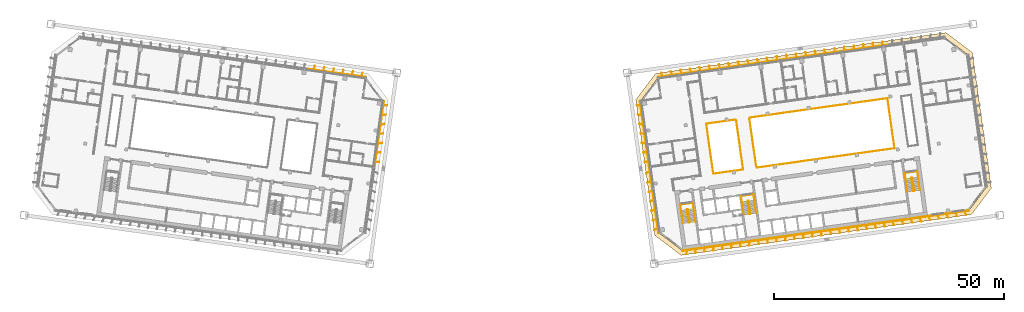
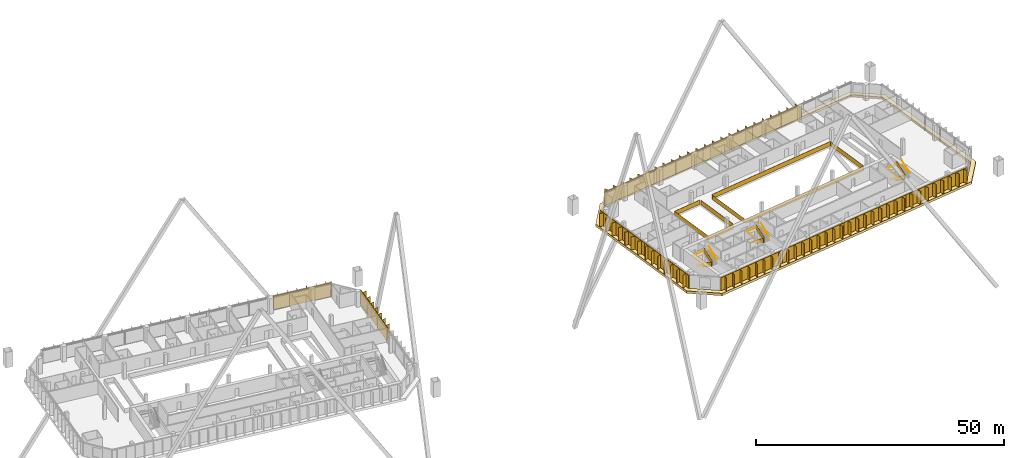
# One storey, part 40 of 41: 12 shading devices, 10 railings, 1 covering.
"""IFC4 building model written with IfcOpenShell, lengths in metres."""

from ifc_helpers import new_model, si_unit, direction, frame, origin, origin_2d, place, context, subcontext, project, spatial, polyline, rectangle, outline, extrude, material, layer, layer_set, type_object, element, save


model = new_model("IFC4")

# Units and contexts
model_context = context("Model", 3, precision=1e-05, world=origin(), true_north=direction((0.0, 1.0)))
body_context = subcontext(model_context, "Body", "Model", "MODEL_VIEW")
ifc_project = project(units=[si_unit("LENGTHUNIT", "METRE"), si_unit("AREAUNIT", "SQUARE_METRE"), si_unit("VOLUMEUNIT", "CUBIC_METRE"), si_unit("PLANEANGLEUNIT", "RADIAN"), si_unit("MASSUNIT", "GRAM", prefix="KILO")], contexts=[model_context])

# Site, building, storey
site_placement = place(None, origin())
site = spatial("IfcSite", under=ifc_project, at=site_placement, CompositionType="ELEMENT")
building_placement = place(site_placement, origin())
building = spatial("IfcBuilding", under=site, at=building_placement, Name="Mirante Cascada Hotel Towers", CompositionType="ELEMENT")
storey_placement = place(building_placement, frame((0.0, 0.0, 125.3)))
storey = spatial("IfcBuildingStorey", under=building, at=storey_placement, Name="L28", CompositionType="ELEMENT", Elevation=125.3)

# Railings
ifc_material_1 = material(Name="Toughened glass with stainless steel handrail", Category="steel")
railing_type_1 = type_object("IfcRailingType", Name="Atrium guard 1100 glass balustrade", PredefinedType="GUARDRAIL", material=ifc_material_1)
railing_1_placement = place(storey_placement, frame((48.76, 8.3112, 0.0)))
element("IfcRailing", 1, at=railing_1_placement, inside=storey, type_object=railing_type_1, Name="GUARD 2-L28-1", PredefinedType="GUARDRAIL", context=body_context, shape_type="SweptSolid", body=[
    extrude(rectangle(XDim=0.048, YDim=0.048, at=origin_2d()), frame((0.0, 0.0, 1.076), z_axis=(-0.9902694, -0.1391638, 0.0), x_axis=(0.1391638, -0.9902694, 0.0)), (0.0, 0.0, 1.0), 6.5125),
    extrude(rectangle(XDim=0.02, YDim=1.052, at=origin_2d()), frame((0.0, 0.0, 0.526), z_axis=(-0.9902694, -0.1391638, 0.0), x_axis=(0.1391638, -0.9902694, 0.0)), (0.0, 0.0, 1.0), 6.5125),
    extrude(rectangle(XDim=0.048, YDim=0.048, at=origin_2d()), frame((-6.4491, -0.9063, 1.076), z_axis=(0.1391721, -0.9902682, 0.0), x_axis=(0.9902682, 0.1391721, 0.0)), (0.0, 0.0, 1.0), 11.0001),
    extrude(rectangle(XDim=0.02, YDim=1.052, at=origin_2d()), frame((-6.4491, -0.9063, 0.526), z_axis=(0.1391721, -0.9902682, 0.0), x_axis=(0.9902682, 0.1391721, 0.0)), (0.0, 0.0, 1.0), 11.0001),
    extrude(rectangle(XDim=0.048, YDim=0.048, at=origin_2d()), frame((-4.9182, -11.7993, 1.076), z_axis=(0.9902673, 0.1391788, 0.0), x_axis=(-0.1391788, 0.9902673, 0.0)), (0.0, 0.0, 1.0), 6.5125),
    extrude(rectangle(XDim=0.02, YDim=1.052, at=origin_2d()), frame((-4.9182, -11.7993, 0.526), z_axis=(0.9902673, 0.1391788, 0.0), x_axis=(-0.1391788, 0.9902673, 0.0)), (0.0, 0.0, 1.0), 6.5125),
])
railing_2_placement = place(storey_placement, frame((53.2617, -2.1642, 0.0)))
element("IfcRailing", 2, at=railing_2_placement, inside=storey, type_object=railing_type_1, Name="GUARD 2-L28-2", PredefinedType="GUARDRAIL", context=body_context, shape_type="SweptSolid", body=[
    extrude(rectangle(XDim=0.048, YDim=0.048, at=origin_2d()), frame((0.0, 0.0, 1.076), z_axis=(0.9902682, 0.1391722, 0.0), x_axis=(-0.1391722, 0.9902682, 0.0)), (0.0, 0.0, 1.0), 30.325),
    extrude(rectangle(XDim=0.02, YDim=1.052, at=origin_2d()), frame((0.0, 0.0, 0.526), z_axis=(0.9902682, 0.1391722, 0.0), x_axis=(-0.1391722, 0.9902682, 0.0)), (0.0, 0.0, 1.0), 30.325),
    extrude(rectangle(XDim=0.048, YDim=0.048, at=origin_2d()), frame((30.0299, 4.2204, 1.076), z_axis=(-0.1391721, 0.9902682, 0.0), x_axis=(-0.9902682, -0.1391721, 0.0)), (0.0, 0.0, 1.0), 11.0001),
    extrude(rectangle(XDim=0.02, YDim=1.052, at=origin_2d()), frame((30.0299, 4.2204, 0.526), z_axis=(-0.1391721, 0.9902682, 0.0), x_axis=(-0.9902682, -0.1391721, 0.0)), (0.0, 0.0, 1.0), 11.0001),
    extrude(rectangle(XDim=0.048, YDim=0.048, at=origin_2d()), frame((28.499, 15.1134, 1.076), z_axis=(-0.9902682, -0.1391722, 0.0), x_axis=(0.1391722, -0.9902682, 0.0)), (0.0, 0.0, 1.0), 30.325),
    extrude(rectangle(XDim=0.02, YDim=1.052, at=origin_2d()), frame((28.499, 15.1134, 0.526), z_axis=(-0.9902682, -0.1391722, 0.0), x_axis=(0.1391722, -0.9902682, 0.0)), (0.0, 0.0, 1.0), 30.325),
])
railing_3_placement = place(storey_placement, frame((50.2983, -2.2822, 0.0)))
element("IfcRailing", 3, at=railing_3_placement, inside=storey, type_object=railing_type_1, Name="GUARD 2-L28-4", PredefinedType="GUARDRAIL", context=body_context, shape_type="SweptSolid", body=[
    extrude(rectangle(XDim=0.048, YDim=0.048, at=origin_2d()), frame((0.0, 0.0, 1.076), z_axis=(-0.1391708, 0.9902684, 0.0), x_axis=(-0.9902684, -0.1391708, 0.0)), (0.0, 0.0, 1.0), 10.4088),
    extrude(rectangle(XDim=0.02, YDim=1.052, at=origin_2d()), frame((0.0, 0.0, 0.526), z_axis=(-0.1391708, 0.9902684, 0.0), x_axis=(-0.9902684, -0.1391708, 0.0)), (0.0, 0.0, 1.0), 10.4088),
])
railing_4_placement = place(storey_placement, frame((51.7234, 8.4292, 0.0)))
element("IfcRailing", 4, at=railing_4_placement, inside=storey, type_object=railing_type_1, Name="GUARD 2-L28-5", PredefinedType="GUARDRAIL", context=body_context, shape_type="SweptSolid", body=[
    extrude(rectangle(XDim=0.048, YDim=0.048, at=origin_2d()), frame((0.0, 0.0, 1.076), z_axis=(0.1391721, -0.9902682, 0.0), x_axis=(0.9902682, 0.1391721, 0.0)), (0.0, 0.0, 1.0), 10.4087),
    extrude(rectangle(XDim=0.02, YDim=1.052, at=origin_2d()), frame((0.0, 0.0, 0.526), z_axis=(0.1391721, -0.9902682, 0.0), x_axis=(0.9902682, 0.1391721, 0.0)), (0.0, 0.0, 1.0), 10.4087),
])

# Covering
ifc_material_2 = material(Name="Precast concrete C40/50 white", Category="concrete")
ifc_layer = layer(ifc_material_2, 0.6)
ifc_layer_set = layer_set([ifc_layer], Name="Precast concrete SUNSHADE band 1000x600")
covering_type = type_object("IfcCoveringType", Name="Precast concrete SUNSHADE band 1000x600", PredefinedType="CLADDING", material=ifc_layer_set)
covering_placement = place(storey_placement, frame((0.0, 0.0, -0.45)))
element("IfcCovering", 5, at=covering_placement, inside=storey, type_object=covering_type, Name="Precast concrete SUNSHADE band T2 L28", PredefinedType="CLADDING", context=body_context, shape_type="SweptSolid", body=[
    extrude(outline(polyline([(26.9341, 12.6299), (31.2626, 18.374), (94.4698, 27.2572), (100.2139, 22.9287), (104.3652, -6.6094), (100.0367, -12.3535), (36.8295, -21.2367), (31.0854, -16.9082), (26.9341, 12.6299)]), holes=[polyline([(103.3173, -6.3384), (99.2813, 22.3794), (94.1988, 26.2093), (31.8119, 17.4414), (27.982, 12.3589), (32.018, -16.3589), (37.1005, -20.1888), (99.4874, -11.4209), (103.3173, -6.3384)])]), origin(), (0.0, 0.0, 1.0), 0.6),
])

# Railings
ifc_material_3 = material(Name="Painted steel", Category="steel")
railing_type_2 = type_object("IfcRailingType", Name="Stair guard 1100 steel balustrade", PredefinedType="GUARDRAIL", material=ifc_material_3)
railing_5_placement = place(storey_placement, frame((38.2663, -11.2395, 0.0)))
element("IfcRailing", 6, at=railing_5_placement, inside=storey, type_object=railing_type_2, Name="L28 ST2-A stair guard 1", PredefinedType="GUARDRAIL", context=body_context, shape_type="SweptSolid", body=[
    extrude(rectangle(XDim=0.048, YDim=0.048, at=origin_2d()), frame((0.0, 0.0, 1.076), z_axis=(-0.9903326, -0.1387133, 0.0), x_axis=(0.1387133, -0.9903326, 0.0)), (0.0, 0.0, 1.0), 0.1499),
    extrude(rectangle(XDim=0.02, YDim=1.052, at=origin_2d()), frame((0.0, 0.0, 0.526), z_axis=(-0.9903326, -0.1387133, 0.0), x_axis=(0.1387133, -0.9903326, 0.0)), (0.0, 0.0, 1.0), 0.1499),
    extrude(rectangle(XDim=0.048, YDim=0.048, at=origin_2d()), frame((-0.1485, -0.0208, 1.076), z_axis=(-0.6020331, -0.7984711, 0.0), x_axis=(0.7984711, -0.6020331, 0.0)), (0.0, 0.9253398, 0.3791387), 0.1866),
    extrude(rectangle(XDim=0.02, YDim=1.052, at=origin_2d()), frame((-0.1485, -0.0208, 0.526), z_axis=(-0.6020331, -0.7984711, 0.0), x_axis=(0.7984711, -0.6020331, 0.0)), (0.0, 0.9253398, 0.3791387), 0.1866),
    extrude(rectangle(XDim=0.048, YDim=0.048, at=origin_2d()), frame((-0.1911, -0.0773, 1.2487), z_axis=(0.139176, -0.9902677, 0.0), x_axis=(0.9902677, 0.139176, 0.0)), (0.0, 0.5250212, 0.8510891), 3.29),
    extrude(rectangle(XDim=0.02, YDim=1.052, at=origin_2d()), frame((-0.1911, -0.0773, 0.6987), z_axis=(0.139176, -0.9902677, 0.0), x_axis=(0.9902677, 0.139176, 0.0)), (0.0, 0.5250212, 0.8510891), 3.29),
    extrude(rectangle(XDim=0.048, YDim=0.048, at=origin_2d()), frame((0.1986, -2.8501, 2.976), z_axis=(0.9944948, -0.1047858, 0.0), x_axis=(0.1047858, 0.9944948, 0.0)), (0.0, 0.0, 1.0), 0.2061),
    extrude(rectangle(XDim=0.02, YDim=1.052, at=origin_2d()), frame((0.1986, -2.8501, 2.426), z_axis=(0.9944948, -0.1047858, 0.0), x_axis=(0.1047858, 0.9944948, 0.0)), (0.0, 0.0, 1.0), 0.2061),
    extrude(rectangle(XDim=0.048, YDim=0.048, at=origin_2d()), frame((0.4036, -2.8717, 2.976), z_axis=(-0.9902408, -0.1393672, 0.0), x_axis=(0.1393672, -0.9902408, 0.0)), (0.0, 0.0, 1.0), 0.15),
    extrude(rectangle(XDim=0.02, YDim=1.052, at=origin_2d()), frame((0.4036, -2.8717, 2.426), z_axis=(-0.9902408, -0.1393672, 0.0), x_axis=(0.1393672, -0.9902408, 0.0)), (0.0, 0.0, 1.0), 0.15),
    extrude(rectangle(XDim=0.048, YDim=0.048, at=origin_2d()), frame((0.2551, -2.8926, 2.976), z_axis=(0.9270311, 0.3749843, 0.0), x_axis=(-0.3749843, 0.9270311, 0.0)), (0.0, 0.6421903, 0.7665452), 0.2689),
    extrude(rectangle(XDim=0.02, YDim=1.052, at=origin_2d()), frame((0.2551, -2.8926, 2.426), z_axis=(0.9270311, 0.3749843, 0.0), x_axis=(-0.3749843, 0.9270311, 0.0)), (0.0, 0.6421903, 0.7665452), 0.2689),
    extrude(rectangle(XDim=0.048, YDim=0.048, at=origin_2d()), frame((0.4462, -2.8153, 3.1487), z_axis=(-0.139176, 0.9902677, 0.0), x_axis=(-0.9902677, -0.139176, 0.0)), (0.0, 0.5250212, 0.8510891), 3.29),
    extrude(rectangle(XDim=0.02, YDim=1.052, at=origin_2d()), frame((0.4462, -2.8153, 2.5987), z_axis=(-0.139176, 0.9902677, 0.0), x_axis=(-0.9902677, -0.139176, 0.0)), (0.0, 0.5250212, 0.8510891), 3.29),
])
railing_6_placement = place(storey_placement, frame((51.4864, -9.3815, 0.0)))
element("IfcRailing", 7, at=railing_6_placement, inside=storey, type_object=railing_type_2, Name="L28 ST2-B stair guard 1", PredefinedType="GUARDRAIL", context=body_context, shape_type="SweptSolid", body=[
    extrude(rectangle(XDim=0.048, YDim=0.048, at=origin_2d()), frame((0.0, 0.0, 1.076), z_axis=(-0.9902408, -0.1393672, 0.0), x_axis=(0.1393672, -0.9902408, 0.0)), (0.0, 0.0, 1.0), 0.15),
    extrude(rectangle(XDim=0.02, YDim=1.052, at=origin_2d()), frame((0.0, 0.0, 0.526), z_axis=(-0.9902408, -0.1393672, 0.0), x_axis=(0.1393672, -0.9902408, 0.0)), (0.0, 0.0, 1.0), 0.15),
    extrude(rectangle(XDim=0.048, YDim=0.048, at=origin_2d()), frame((-0.1485, -0.0209, 1.076), z_axis=(-0.6020331, -0.7984711, 0.0), x_axis=(0.7984711, -0.6020331, 0.0)), (0.0, 0.9253398, 0.3791387), 0.1866),
    extrude(rectangle(XDim=0.02, YDim=1.052, at=origin_2d()), frame((-0.1485, -0.0209, 0.526), z_axis=(-0.6020331, -0.7984711, 0.0), x_axis=(0.7984711, -0.6020331, 0.0)), (0.0, 0.9253398, 0.3791387), 0.1866),
    extrude(rectangle(XDim=0.048, YDim=0.048, at=origin_2d()), frame((-0.1911, -0.0774, 1.2487), z_axis=(0.139181, -0.990267, 0.0), x_axis=(0.990267, 0.139181, 0.0)), (0.0, 0.5250347, 0.8510808), 3.2899),
    extrude(rectangle(XDim=0.02, YDim=1.052, at=origin_2d()), frame((-0.1911, -0.0774, 0.6987), z_axis=(0.139181, -0.990267, 0.0), x_axis=(0.990267, 0.139181, 0.0)), (0.0, 0.5250347, 0.8510808), 3.2899),
    extrude(rectangle(XDim=0.048, YDim=0.048, at=origin_2d()), frame((0.1986, -2.8501, 2.976), z_axis=(0.9944441, -0.1052656, 0.0), x_axis=(0.1052656, 0.9944441, 0.0)), (0.0, 0.0, 1.0), 0.2061),
    extrude(rectangle(XDim=0.02, YDim=1.052, at=origin_2d()), frame((0.1986, -2.8501, 2.426), z_axis=(0.9944441, -0.1052656, 0.0), x_axis=(0.1052656, 0.9944441, 0.0)), (0.0, 0.0, 1.0), 0.2061),
    extrude(rectangle(XDim=0.048, YDim=0.048, at=origin_2d()), frame((0.4036, -2.8718, 2.976), z_axis=(-0.9902408, -0.1393672, 0.0), x_axis=(0.1393672, -0.9902408, 0.0)), (0.0, 0.0, 1.0), 0.15),
    extrude(rectangle(XDim=0.02, YDim=1.052, at=origin_2d()), frame((0.4036, -2.8718, 2.426), z_axis=(-0.9902408, -0.1393672, 0.0), x_axis=(0.1393672, -0.9902408, 0.0)), (0.0, 0.0, 1.0), 0.15),
    extrude(rectangle(XDim=0.048, YDim=0.048, at=origin_2d()), frame((0.2551, -2.8927, 2.976), z_axis=(0.9268624, 0.3754011, 0.0), x_axis=(-0.3754011, 0.9268624, 0.0)), (0.0, 0.6421217, 0.7666028), 0.269),
    extrude(rectangle(XDim=0.02, YDim=1.052, at=origin_2d()), frame((0.2551, -2.8927, 2.426), z_axis=(0.9268624, 0.3754011, 0.0), x_axis=(-0.3754011, 0.9268624, 0.0)), (0.0, 0.6421217, 0.7666028), 0.269),
    extrude(rectangle(XDim=0.048, YDim=0.048, at=origin_2d()), frame((0.4462, -2.8153, 3.1487), z_axis=(-0.139181, 0.990267, 0.0), x_axis=(-0.990267, -0.139181, 0.0)), (0.0, 0.5250347, 0.8510808), 3.2899),
    extrude(rectangle(XDim=0.02, YDim=1.052, at=origin_2d()), frame((0.4462, -2.8153, 2.5987), z_axis=(-0.139181, 0.990267, 0.0), x_axis=(-0.990267, -0.139181, 0.0)), (0.0, 0.5250347, 0.8510808), 3.2899),
])
railing_7_placement = place(storey_placement, frame((87.1361, -4.3713, 0.0)))
element("IfcRailing", 8, at=railing_7_placement, inside=storey, type_object=railing_type_2, Name="L28 ST2-C stair guard 1", PredefinedType="GUARDRAIL", context=body_context, shape_type="SweptSolid", body=[
    extrude(rectangle(XDim=0.048, YDim=0.048, at=origin_2d()), frame((0.0, 0.0, 1.076), z_axis=(-0.9902537, -0.1392753, 0.0), x_axis=(0.1392753, -0.9902537, 0.0)), (0.0, 0.0, 1.0), 0.1501),
    extrude(rectangle(XDim=0.02, YDim=1.052, at=origin_2d()), frame((0.0, 0.0, 0.526), z_axis=(-0.9902537, -0.1392753, 0.0), x_axis=(0.1392753, -0.9902537, 0.0)), (0.0, 0.0, 1.0), 0.1501),
    extrude(rectangle(XDim=0.048, YDim=0.048, at=origin_2d()), frame((-0.1486, -0.0209, 1.076), z_axis=(-0.601811, -0.7986386, 0.0), x_axis=(0.7986386, -0.601811, 0.0)), (0.0, 0.925603, 0.3784959), 0.1866),
    extrude(rectangle(XDim=0.02, YDim=1.052, at=origin_2d()), frame((-0.1486, -0.0209, 0.526), z_axis=(-0.601811, -0.7986386, 0.0), x_axis=(0.7986386, -0.601811, 0.0)), (0.0, 0.925603, 0.3784959), 0.1866),
    extrude(rectangle(XDim=0.048, YDim=0.048, at=origin_2d()), frame((-0.1911, -0.0773, 1.2487), z_axis=(0.139176, -0.9902677, 0.0), x_axis=(0.9902677, 0.139176, 0.0)), (0.0, 0.5250212, 0.8510891), 3.29),
    extrude(rectangle(XDim=0.02, YDim=1.052, at=origin_2d()), frame((-0.1911, -0.0773, 0.6987), z_axis=(0.139176, -0.9902677, 0.0), x_axis=(0.9902677, 0.139176, 0.0)), (0.0, 0.5250212, 0.8510891), 3.29),
    extrude(rectangle(XDim=0.048, YDim=0.048, at=origin_2d()), frame((0.1986, -2.8501, 2.976), z_axis=(0.9944441, -0.1052656, 0.0), x_axis=(0.1052656, 0.9944441, 0.0)), (0.0, 0.0, 1.0), 0.2061),
    extrude(rectangle(XDim=0.02, YDim=1.052, at=origin_2d()), frame((0.1986, -2.8501, 2.426), z_axis=(0.9944441, -0.1052656, 0.0), x_axis=(0.1052656, 0.9944441, 0.0)), (0.0, 0.0, 1.0), 0.2061),
    extrude(rectangle(XDim=0.048, YDim=0.048, at=origin_2d()), frame((0.4036, -2.8718, 2.976), z_axis=(-0.9903454, -0.1386217, 0.0), x_axis=(0.1386217, -0.9903454, 0.0)), (0.0, 0.0, 1.0), 0.15),
    extrude(rectangle(XDim=0.02, YDim=1.052, at=origin_2d()), frame((0.4036, -2.8718, 2.426), z_axis=(-0.9903454, -0.1386217, 0.0), x_axis=(0.1386217, -0.9903454, 0.0)), (0.0, 0.0, 1.0), 0.15),
    extrude(rectangle(XDim=0.048, YDim=0.048, at=origin_2d()), frame((0.255, -2.8926, 2.976), z_axis=(0.9270311, 0.3749843, 0.0), x_axis=(-0.3749843, 0.9270311, 0.0)), (0.0, 0.6421903, 0.7665452), 0.2689),
    extrude(rectangle(XDim=0.02, YDim=1.052, at=origin_2d()), frame((0.255, -2.8926, 2.426), z_axis=(0.9270311, 0.3749843, 0.0), x_axis=(-0.3749843, 0.9270311, 0.0)), (0.0, 0.6421903, 0.7665452), 0.2689),
    extrude(rectangle(XDim=0.048, YDim=0.048, at=origin_2d()), frame((0.4461, -2.8153, 3.1487), z_axis=(-0.139176, 0.9902677, 0.0), x_axis=(-0.9902677, -0.139176, 0.0)), (0.0, 0.5250212, 0.8510891), 3.29),
    extrude(rectangle(XDim=0.02, YDim=1.052, at=origin_2d()), frame((0.4461, -2.8153, 2.5987), z_axis=(-0.139176, 0.9902677, 0.0), x_axis=(-0.9902677, -0.139176, 0.0)), (0.0, 0.5250212, 0.8510891), 3.29),
])
ifc_material_4 = material(Name="Painted steel", Category="steel")
railing_type_3 = type_object("IfcRailingType", Name="Stair handrail 900 steel tube", PredefinedType="HANDRAIL", material=ifc_material_4)
railing_8_placement = place(storey_placement, frame((36.8374, -11.4908, 0.1727)))
element("IfcRailing", 9, at=railing_8_placement, inside=storey, type_object=railing_type_3, Name="L28 ST2-A stair handrail 1", PredefinedType="HANDRAIL", context=body_context, shape_type="SweptSolid", body=[
    extrude(rectangle(XDim=0.048, YDim=0.048, at=origin_2d()), frame((0.0, 0.0, 0.876), z_axis=(0.139181, -0.990267, 0.0), x_axis=(0.990267, 0.139181, 0.0)), (0.0, 0.5250347, 0.8510808), 3.2899),
    extrude(rectangle(XDim=0.048, YDim=0.048, at=origin_2d()), frame((0.3897, -2.7727, 2.6033), z_axis=(-0.1391707, 0.9902684, 0.0), x_axis=(-0.9902684, -0.1391707, 0.0)), (0.0, 0.0420846, 0.999114), 4.1036),
    extrude(rectangle(XDim=0.048, YDim=0.048, at=origin_2d()), frame((-0.1809, 1.2874, 2.776), z_axis=(0.9902691, 0.1391657, 0.0), x_axis=(-0.1391657, 0.9902691, 0.0)), (0.0, 0.0, 1.0), 2.75),
    extrude(rectangle(XDim=0.048, YDim=0.048, at=origin_2d()), frame((2.5423, 1.6701, 2.776), z_axis=(0.1391707, -0.9902684, 0.0), x_axis=(0.9902684, 0.1391707, 0.0)), (0.0, 0.0, 1.0), 4.1),
    extrude(rectangle(XDim=0.048, YDim=0.048, at=origin_2d()), frame((3.1129, -2.39, 2.776), z_axis=(-0.139181, 0.990267, 0.0), x_axis=(-0.990267, -0.139181, 0.0)), (0.0, 0.5250347, 0.8510808), 3.2899),
])
railing_9_placement = place(storey_placement, frame((50.0575, -9.6328, 0.1727)))
element("IfcRailing", 10, at=railing_9_placement, inside=storey, type_object=railing_type_3, Name="L28 ST2-B stair handrail 1", PredefinedType="HANDRAIL", context=body_context, shape_type="SweptSolid", body=[
    extrude(rectangle(XDim=0.048, YDim=0.048, at=origin_2d()), frame((0.0, 0.0, 0.876), z_axis=(0.139176, -0.9902677, 0.0), x_axis=(0.9902677, 0.139176, 0.0)), (0.0, 0.5250212, 0.8510891), 3.29),
    extrude(rectangle(XDim=0.048, YDim=0.048, at=origin_2d()), frame((0.3897, -2.7728, 2.6033), z_axis=(-0.1391707, 0.9902684, 0.0), x_axis=(-0.9902684, -0.1391707, 0.0)), (0.0, 0.0420846, 0.999114), 4.1036),
    extrude(rectangle(XDim=0.048, YDim=0.048, at=origin_2d()), frame((-0.1809, 1.2873, 2.776), z_axis=(0.9902641, 0.1392013, 0.0), x_axis=(-0.1392013, 0.9902641, 0.0)), (0.0, 0.0, 1.0), 2.75),
    extrude(rectangle(XDim=0.048, YDim=0.048, at=origin_2d()), frame((2.5423, 1.6701, 2.776), z_axis=(0.1391707, -0.9902684, 0.0), x_axis=(0.9902684, 0.1391707, 0.0)), (0.0, 0.0, 1.0), 4.1),
    extrude(rectangle(XDim=0.048, YDim=0.048, at=origin_2d()), frame((3.1129, -2.39, 2.776), z_axis=(-0.139181, 0.990267, 0.0), x_axis=(-0.990267, -0.139181, 0.0)), (0.0, 0.5250347, 0.8510808), 3.2899),
])
railing_10_placement = place(storey_placement, frame((85.7071, -4.6226, 0.1727)))
element("IfcRailing", 11, at=railing_10_placement, inside=storey, type_object=railing_type_3, Name="L28 ST2-C stair handrail 1", PredefinedType="HANDRAIL", context=body_context, shape_type="SweptSolid", body=[
    extrude(rectangle(XDim=0.048, YDim=0.048, at=origin_2d()), frame((0.0, 0.0, 0.876), z_axis=(0.139181, -0.990267, 0.0), x_axis=(0.990267, 0.139181, 0.0)), (0.0, 0.5250347, 0.8510808), 3.2899),
    extrude(rectangle(XDim=0.048, YDim=0.048, at=origin_2d()), frame((0.3897, -2.7727, 2.6033), z_axis=(-0.1391707, 0.9902684, 0.0), x_axis=(-0.9902684, -0.1391707, 0.0)), (0.0, 0.0420846, 0.999114), 4.1036),
    extrude(rectangle(XDim=0.048, YDim=0.048, at=origin_2d()), frame((-0.1809, 1.2874, 2.776), z_axis=(0.9902691, 0.1391657, 0.0), x_axis=(-0.1391657, 0.9902691, 0.0)), (0.0, 0.0, 1.0), 2.75),
    extrude(rectangle(XDim=0.048, YDim=0.048, at=origin_2d()), frame((2.5423, 1.6701, 2.776), z_axis=(0.1391947, -0.990265, 0.0), x_axis=(0.990265, 0.1391947, 0.0)), (0.0, 0.0, 1.0), 4.1),
    extrude(rectangle(XDim=0.048, YDim=0.048, at=origin_2d()), frame((3.113, -2.39, 2.776), z_axis=(-0.139181, 0.990267, 0.0), x_axis=(-0.990267, -0.139181, 0.0)), (0.0, 0.5250347, 0.8510808), 3.2899),
])

# Shading devices
ifc_material_5 = material(Name="White precast concrete C50/60 fin", Category="concrete")
shading_device_type = type_object("IfcShadingDeviceType", Name="Vertical fin set 4500x900", PredefinedType="USERDEFINED", material=ifc_material_5)
shading_device_1_placement = place(storey_placement, origin())
element("IfcShadingDevice", 12, at=shading_device_1_placement, inside=storey, type_object=shading_device_type, Name="FIN T1 L28 front 5", ObjectType="FIN", PredefinedType="USERDEFINED", context=body_context, shape_type="SweptSolid", body=[
    extrude(outline(polyline([(-32.4493, 18.4994), (-32.7765, 17.7284), (-31.791, 17.5899), (-31.8119, 17.4414), (-44.2893, 19.195), (-44.2684, 19.3435), (-43.2564, 19.2013), (-42.9208, 19.9919), (-42.8471, 19.9607), (-43.1744, 19.1897), (-41.1768, 18.909), (-40.8412, 19.6997), (-40.7676, 19.6684), (-41.0948, 18.8975), (-39.0973, 18.6167), (-38.7616, 19.4074), (-38.688, 19.3761), (-39.0152, 18.6052), (-37.0177, 18.3245), (-36.6821, 19.1151), (-36.6084, 19.0839), (-36.9357, 18.3129), (-34.9381, 18.0322), (-34.6025, 18.8229), (-34.5289, 18.7916), (-34.8561, 18.0207), (-32.8586, 17.7399), (-32.5229, 18.5306), (-32.4493, 18.4994)])), origin(), (0.0, 0.0, 1.0), 3.35),
])
shading_device_2_placement = place(storey_placement, origin())
element("IfcShadingDevice", 13, at=shading_device_2_placement, inside=storey, type_object=shading_device_type, Name="FIN T1 L28 inner 1", ObjectType="FIN", PredefinedType="USERDEFINED", context=body_context, shape_type="SweptSolid", body=[
    extrude(outline(polyline([(-29.7112, -1.023), (-29.8515, -2.0209), (-30.0, -2.0), (-27.982, 12.3589), (-27.8334, 12.338), (-27.97, 11.3667), (-27.1387, 11.4687), (-27.1289, 11.3893), (-27.9815, 11.2846), (-28.2583, 9.3154), (-27.427, 9.4174), (-27.4172, 9.338), (-28.2698, 9.2334), (-28.5465, 7.2641), (-27.7153, 7.3662), (-27.7055, 7.2868), (-28.5581, 7.1821), (-28.8348, 5.2128), (-28.0036, 5.3149), (-27.9938, 5.2355), (-28.8464, 5.1308), (-29.1231, 3.1616), (-28.2918, 3.2636), (-28.2821, 3.1842), (-29.1346, 3.0796), (-29.4114, 1.1103), (-28.5801, 1.2124), (-28.5704, 1.133), (-29.4229, 1.0283), (-29.6997, -0.941), (-28.8684, -0.8389), (-28.8587, -0.9183), (-29.7112, -1.023)])), origin(), (0.0, 0.0, 1.0), 3.35),
])
shading_device_3_placement = place(storey_placement, origin())
element("IfcShadingDevice", 14, at=shading_device_3_placement, inside=storey, type_object=shading_device_type, Name="FIN T2 L28 front 2", ObjectType="FIN", PredefinedType="USERDEFINED", context=body_context, shape_type="SweptSolid", body=[
    extrude(outline(polyline([(70.3021, 23.8476), (70.3094, 23.0033), (72.3091, 23.2844), (72.3016, 24.1392), (72.3816, 24.1399), (72.389, 23.2956), (74.3886, 23.5766), (74.3812, 24.4314), (74.4612, 24.4321), (74.4686, 23.5878), (76.4682, 23.8689), (76.4608, 24.7237), (76.5407, 24.7244), (76.5481, 23.8801), (78.5478, 24.1611), (78.5403, 25.0159), (78.6203, 25.0166), (78.6277, 24.1724), (80.6273, 24.4534), (80.6199, 25.3082), (80.6999, 25.3089), (80.7072, 24.4646), (81.7006, 24.6042), (81.7214, 24.4557), (69.2441, 22.7021), (69.2232, 22.8507), (70.2295, 22.9921), (70.2221, 23.8469), (70.3021, 23.8476)])), origin(), (0.0, 0.0, 1.0), 3.35),
])
shading_device_4_placement = place(storey_placement, origin())
element("IfcShadingDevice", 15, at=shading_device_4_placement, inside=storey, type_object=shading_device_type, Name="FIN T2 L28 front 3", ObjectType="FIN", PredefinedType="USERDEFINED", context=body_context, shape_type="SweptSolid", body=[
    extrude(outline(polyline([(57.7069, 22.0905), (57.8252, 21.2488), (59.8255, 21.5299), (59.7072, 22.3716), (59.7865, 22.3828), (59.9048, 21.541), (61.9051, 21.8222), (61.7868, 22.6639), (61.866, 22.675), (61.9843, 21.8333), (63.9847, 22.1144), (63.8664, 22.9562), (63.9456, 22.9673), (64.0639, 22.1256), (66.0642, 22.4067), (65.9459, 23.2484), (66.0251, 23.2596), (66.1434, 22.4178), (68.1438, 22.699), (68.0255, 23.5407), (68.1047, 23.5518), (68.223, 22.7101), (69.2232, 22.8507), (69.2441, 22.7021), (56.7667, 20.9485), (56.7458, 21.0971), (57.746, 21.2376), (57.6277, 22.0794), (57.7069, 22.0905)])), origin(), (0.0, 0.0, 1.0), 3.35),
])
shading_device_5_placement = place(storey_placement, origin())
element("IfcShadingDevice", 16, at=shading_device_5_placement, inside=storey, type_object=shading_device_type, Name="FIN T2 L28 front 4", ObjectType="FIN", PredefinedType="USERDEFINED", context=body_context, shape_type="SweptSolid", body=[
    extrude(outline(polyline([(45.1132, 20.3181), (45.3416, 19.4943), (47.3413, 19.7754), (47.1157, 20.589), (47.1928, 20.6103), (47.4212, 19.7866), (49.4209, 20.0676), (49.1952, 20.8812), (49.2723, 20.9026), (49.5008, 20.0789), (51.5004, 20.3599), (51.2748, 21.1735), (51.3519, 21.1949), (51.5803, 20.3711), (53.58, 20.6521), (53.3544, 21.4657), (53.4314, 21.4871), (53.6599, 20.6634), (55.6595, 20.9444), (55.4339, 21.758), (55.511, 21.7794), (55.7394, 20.9556), (56.7458, 21.0971), (56.7667, 20.9485), (44.2893, 19.195), (44.2684, 19.3435), (45.2617, 19.4831), (45.0361, 20.2967), (45.1132, 20.3181)])), origin(), (0.0, 0.0, 1.0), 3.35),
])
shading_device_6_placement = place(storey_placement, origin())
element("IfcShadingDevice", 17, at=shading_device_6_placement, inside=storey, type_object=shading_device_type, Name="FIN T2 L28 front 5", ObjectType="FIN", PredefinedType="USERDEFINED", context=body_context, shape_type="SweptSolid", body=[
    extrude(outline(polyline([(32.5229, 18.5306), (32.8586, 17.7399), (34.8561, 18.0207), (34.5289, 18.7916), (34.6025, 18.8229), (34.9381, 18.0322), (36.9357, 18.3129), (36.6084, 19.0839), (36.6821, 19.1151), (37.0177, 18.3245), (39.0152, 18.6052), (38.688, 19.3761), (38.7616, 19.4074), (39.0973, 18.6167), (41.0948, 18.8975), (40.7676, 19.6684), (40.8412, 19.6997), (41.1768, 18.909), (43.1744, 19.1897), (42.8471, 19.9607), (42.9208, 19.9919), (43.2564, 19.2013), (44.2684, 19.3435), (44.2893, 19.195), (31.8119, 17.4414), (31.791, 17.5899), (32.7765, 17.7284), (32.4493, 18.4994), (32.5229, 18.5306)])), origin(), (0.0, 0.0, 1.0), 3.35),
])
shading_device_7_placement = place(storey_placement, origin())
element("IfcShadingDevice", 18, at=shading_device_7_placement, inside=storey, type_object=shading_device_type, Name="FIN T2 L28 inner 1", ObjectType="FIN", PredefinedType="USERDEFINED", context=body_context, shape_type="SweptSolid", body=[
    extrude(outline(polyline([(28.8684, -0.8389), (29.6997, -0.941), (29.4229, 1.0283), (28.5704, 1.133), (28.5801, 1.2124), (29.4114, 1.1103), (29.1346, 3.0796), (28.2821, 3.1842), (28.2918, 3.2636), (29.1231, 3.1616), (28.8464, 5.1308), (27.9938, 5.2355), (28.0036, 5.3149), (28.8348, 5.2128), (28.5581, 7.1821), (27.7055, 7.2868), (27.7153, 7.3662), (28.5465, 7.2641), (28.2698, 9.2334), (27.4172, 9.338), (27.427, 9.4174), (28.2583, 9.3154), (27.9815, 11.2846), (27.1289, 11.3893), (27.1387, 11.4687), (27.97, 11.3667), (27.8334, 12.338), (27.982, 12.3589), (30.0, -2.0), (29.8515, -2.0209), (29.7112, -1.023), (28.8587, -0.9183), (28.8684, -0.8389)])), origin(), (0.0, 0.0, 1.0), 3.35),
])
shading_device_8_placement = place(storey_placement, origin())
element("IfcShadingDevice", 19, at=shading_device_8_placement, inside=storey, type_object=shading_device_type, Name="FIN T2 L28 inner 2", ObjectType="FIN", PredefinedType="USERDEFINED", context=body_context, shape_type="SweptSolid", body=[
    extrude(outline(polyline([(30.9308, -15.662), (31.7214, -15.3264), (31.4447, -13.3571), (30.6737, -13.6844), (30.6425, -13.6107), (31.4331, -13.2751), (31.1564, -11.3059), (30.3854, -11.6331), (30.3542, -11.5595), (31.1449, -11.2238), (30.8681, -9.2546), (30.0972, -9.5818), (30.0659, -9.5082), (30.8566, -9.1726), (30.5798, -7.2033), (29.8089, -7.5306), (29.7776, -7.4569), (30.5683, -7.1213), (30.2915, -5.1521), (29.5206, -5.4793), (29.4893, -5.4057), (30.28, -5.07), (30.0032, -3.1008), (29.2323, -3.428), (29.201, -3.3544), (29.9917, -3.0188), (29.8515, -2.0209), (30.0, -2.0), (32.018, -16.3589), (31.8695, -16.3798), (31.733, -15.4084), (30.962, -15.7356), (30.9308, -15.662)])), origin(), (0.0, 0.0, 1.0), 3.35),
])
shading_device_9_placement = place(storey_placement, origin())
element("IfcShadingDevice", 20, at=shading_device_9_placement, inside=storey, type_object=shading_device_type, Name="FIN T2 L28 rear 1", ObjectType="FIN", PredefinedType="USERDEFINED", context=body_context, shape_type="SweptSolid", body=[
    extrude(outline(polyline([(37.9398, -21.0393), (38.0419, -20.208), (37.1214, -20.3374), (37.1005, -20.1888), (52.6972, -17.9968), (52.7181, -18.1454), (51.771, -18.2785), (51.6664, -19.131), (51.587, -19.1213), (51.689, -18.29), (49.8214, -18.5525), (49.7168, -19.405), (49.6374, -19.3953), (49.7394, -18.564), (47.8719, -18.8265), (47.7672, -19.679), (47.6878, -19.6693), (47.7898, -18.838), (45.9223, -19.1005), (45.8176, -19.953), (45.7382, -19.9433), (45.8403, -19.112), (43.9727, -19.3745), (43.868, -20.227), (43.7886, -20.2173), (43.8907, -19.386), (42.0231, -19.6485), (41.9184, -20.501), (41.839, -20.4913), (41.9411, -19.66), (40.0735, -19.9225), (39.9688, -20.775), (39.8894, -20.7653), (39.9915, -19.934), (38.1239, -20.1965), (38.0192, -21.049), (37.9398, -21.0393)])), origin(), (0.0, 0.0, 1.0), 3.35),
])
shading_device_10_placement = place(storey_placement, origin())
element("IfcShadingDevice", 21, at=shading_device_10_placement, inside=storey, type_object=shading_device_type, Name="FIN T2 L28 rear 2", ObjectType="FIN", PredefinedType="USERDEFINED", context=body_context, shape_type="SweptSolid", body=[
    extrude(outline(polyline([(53.6931, -18.8597), (53.6488, -18.0146), (52.7181, -18.1454), (52.6972, -17.9968), (68.2939, -15.8049), (68.3148, -15.9534), (67.3755, -16.0854), (67.4201, -16.9376), (67.3402, -16.9417), (67.2959, -16.0966), (65.4259, -16.3594), (65.4705, -17.2116), (65.3906, -17.2157), (65.3463, -16.3706), (63.4763, -16.6334), (63.5209, -17.4856), (63.441, -17.4897), (63.3967, -16.6446), (61.5267, -16.9074), (61.5713, -17.7596), (61.4914, -17.7637), (61.4472, -16.9186), (59.5771, -17.1814), (59.6217, -18.0335), (59.5419, -18.0377), (59.4976, -17.1926), (57.6275, -17.4554), (57.6722, -18.3075), (57.5923, -18.3117), (57.548, -17.4666), (55.6779, -17.7294), (55.7226, -18.5815), (55.6427, -18.5857), (55.5984, -17.7406), (53.7283, -18.0034), (53.773, -18.8555), (53.6931, -18.8597)])), origin(), (0.0, 0.0, 1.0), 3.35),
])
shading_device_11_placement = place(storey_placement, origin())
element("IfcShadingDevice", 22, at=shading_device_11_placement, inside=storey, type_object=shading_device_type, Name="FIN T2 L28 rear 3", ObjectType="FIN", PredefinedType="USERDEFINED", context=body_context, shape_type="SweptSolid", body=[
    extrude(outline(polyline([(69.4461, -16.6528), (69.2542, -15.8214), (68.3148, -15.9534), (68.2939, -15.8049), (83.8907, -13.6129), (83.9115, -13.7614), (82.9808, -13.8922), (83.1712, -14.7168), (83.0933, -14.7348), (82.9013, -13.9034), (81.0312, -14.1662), (81.2216, -14.9908), (81.1437, -15.0088), (80.9517, -14.1774), (79.0817, -14.4402), (79.272, -15.2648), (79.1941, -15.2828), (79.0021, -14.4514), (77.1321, -14.7142), (77.3224, -15.5388), (77.2445, -15.5568), (77.0525, -14.7254), (75.1825, -14.9882), (75.3729, -15.8128), (75.2949, -15.8308), (75.103, -14.9994), (73.2329, -15.2622), (73.4233, -16.0868), (73.3453, -16.1048), (73.1534, -15.2734), (71.2833, -15.5362), (71.4737, -16.3608), (71.3957, -16.3788), (71.2038, -15.5474), (69.3337, -15.8102), (69.5241, -16.6348), (69.4461, -16.6528)])), origin(), (0.0, 0.0, 1.0), 3.35),
])
shading_device_12_placement = place(storey_placement, origin())
element("IfcShadingDevice", 23, at=shading_device_12_placement, inside=storey, type_object=shading_device_type, Name="FIN T2 L28 rear 4", ObjectType="FIN", PredefinedType="USERDEFINED", context=body_context, shape_type="SweptSolid", body=[
    extrude(outline(polyline([(85.1942, -14.419), (84.8586, -13.6283), (83.9115, -13.7614), (83.8907, -13.6129), (99.4874, -11.4209), (99.5083, -11.5694), (98.5877, -11.6988), (98.915, -12.4698), (98.8413, -12.501), (98.5057, -11.7103), (96.6381, -11.9728), (96.9654, -12.7438), (96.8918, -12.775), (96.5561, -11.9843), (94.6886, -12.2468), (95.0158, -13.0178), (94.9422, -13.049), (94.6065, -12.2583), (92.739, -12.5208), (93.0662, -13.2918), (92.9926, -13.323), (92.657, -12.5323), (90.7894, -12.7948), (91.1166, -13.5657), (91.043, -13.597), (90.7074, -12.8063), (88.8398, -13.0688), (89.167, -13.8397), (89.0934, -13.871), (88.7578, -13.0803), (86.8902, -13.3428), (87.2174, -14.1137), (87.1438, -14.145), (86.8082, -13.3543), (84.9406, -13.6168), (85.2679, -14.3877), (85.1942, -14.419)])), origin(), (0.0, 0.0, 1.0), 3.35),
])

save(model, "model.ifc")
